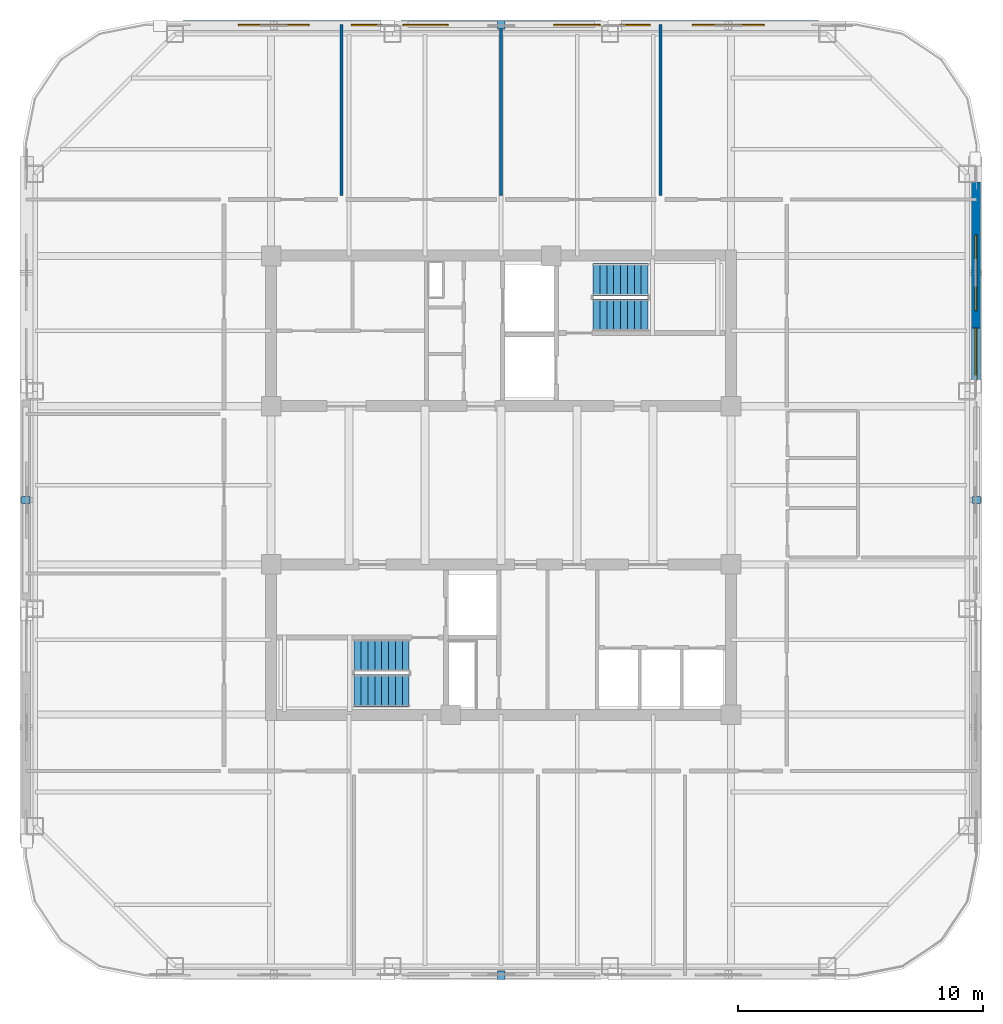
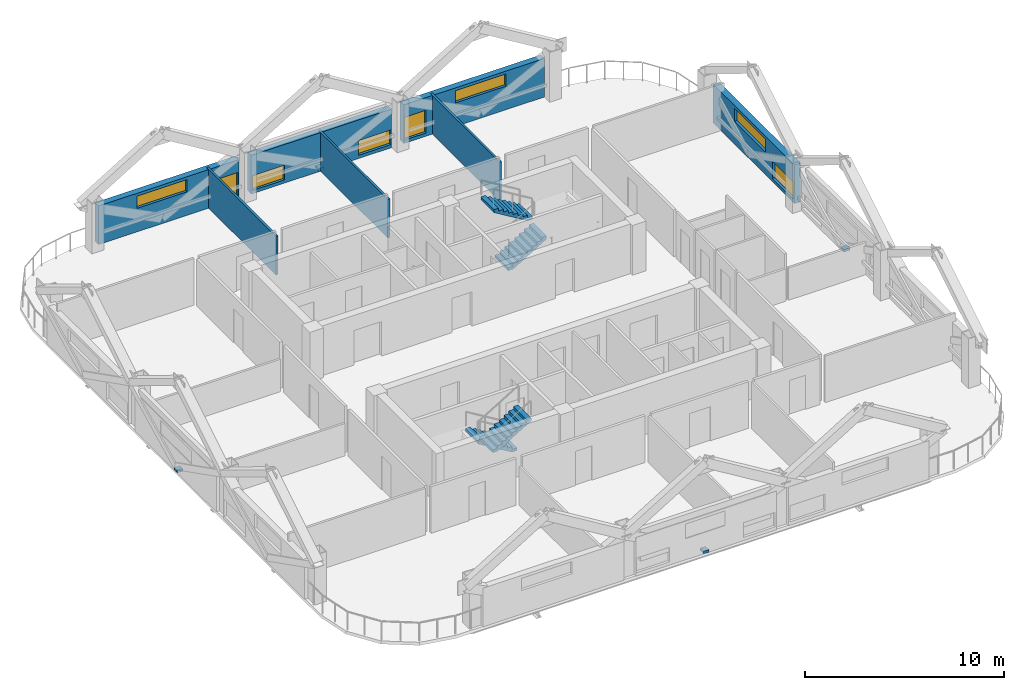
# One storey, part 6 of 9: 8 windows, 7 walls, 4 discrete accessories, 4 stair flights, 8 openings, 2 elements without a shape of their own.
"""IFC4 building model written with IfcOpenShell, lengths in metres."""

from ifc_helpers import new_model, si_unit, direction, frame, frame_2d, origin, origin_2d, place, context, subcontext, project, spatial, polyline, rectangle, outline, extrude, material, layer, layer_set, type_object, element, fill, aggregate, save


model = new_model("IFC4")

# Units and contexts
model_context = context("Model", 3, precision=1e-05, world=origin(), true_north=direction((0.0, 1.0)))
body_context = subcontext(model_context, "Body", "Model", "MODEL_VIEW")
ifc_project = project(units=[si_unit("LENGTHUNIT", "METRE"), si_unit("AREAUNIT", "SQUARE_METRE"), si_unit("VOLUMEUNIT", "CUBIC_METRE"), si_unit("PLANEANGLEUNIT", "RADIAN"), si_unit("MASSUNIT", "GRAM", prefix="KILO")], contexts=[model_context])

# Site, building, storey
site_placement = place(None, origin())
site = spatial("IfcSite", under=ifc_project, at=site_placement, CompositionType="ELEMENT")
building_placement = place(site_placement, origin())
building = spatial("IfcBuilding", under=site, at=building_placement, Name="Qhalaya Broadcast Tower", CompositionType="ELEMENT")
storey_placement = place(building_placement, frame((0.0, 0.0, 217.800048828125)))
storey = spatial("IfcBuildingStorey", under=building, at=storey_placement, Name="L64", CompositionType="ELEMENT", Elevation=217.800048828125)

# Wall, openings, windows
ifc_material_1 = material(Name="Precast Concrete C40/50", Category="concrete")
ifc_layer_1 = layer(ifc_material_1, 0.360107421875, Name="Precast Concrete C40/50")
ifc_layer_set_1 = layer_set([ifc_layer_1], Name="Precast Concrete C40/50")
wall_type_1 = type_object("IfcWallType", Name="Insulated Precast Terracotta Exterior Wall 360", PredefinedType="SOLIDWALL", material=ifc_layer_set_1)
wall_1_placement = place(storey_placement, frame((19.360107421875, 12.9619140625, 0.0), z_axis=(0.0, 0.0, 1.0), x_axis=(0.0, -1.0, 0.0)))
wall_1 = element("IfcWall", 1, at=wall_1_placement, inside=storey, type_object=wall_type_1, Name="L64 Exoskeleton Diagrid Infill Wall E1", PredefinedType="SOLIDWALL", context=body_context, shape_type="SweptSolid", body=[
    extrude(rectangle(XDim=8.1787109375, YDim=0.360107421875, at=frame_2d((4.08935546875, 0.0))), origin(), (0.0, 0.0, 1.0), 2.3740234375),
])
opening_1_placement = place(wall_1_placement, frame((2.14990234375, 0.0, 1.39990234375)))
opening_1 = element("IfcOpeningElement", 2, at=opening_1_placement, cuts=wall_1, Name="Opening W13", PredefinedType="OPENING", context=body_context, shape_type="SweptSolid", body=[
    extrude(rectangle(XDim=3.10009765625, YDim=0.800048828125, at=frame_2d((1.550048828125, 0.39990234375))), frame((0.0, 0.192138671875, 0.0), z_axis=(0.0, -1.0, 0.0), x_axis=(1.0, 0.0, 0.0)), (0.0, 0.0, 1.0), 0.384033203125),
])
opening_2_placement = place(wall_1_placement, frame((5.949951171875, 0.0, 0.199951171875)))
opening_2 = element("IfcOpeningElement", 3, at=opening_2_placement, cuts=wall_1, Name="Opening W13", PredefinedType="OPENING", context=body_context, shape_type="SweptSolid", body=[
    extrude(rectangle(XDim=2.14990234375, YDim=1.050048828125, at=frame_2d((1.074951171875, 0.52490234375))), frame((0.0, 0.192138671875, 0.0), z_axis=(0.0, -1.0, 0.0), x_axis=(1.0, 0.0, 0.0)), (0.0, 0.0, 1.0), 0.384033203125),
])
ifc_material_2 = material(Name="Solar-Control Low-E Triple Glazing", Category="glass")
window_type = type_object("IfcWindowType", Name="Upper-Block Diagrid Infill Window W13", PartitioningType="SINGLE_PANEL", PredefinedType="WINDOW", material=ifc_material_2)
window_1_placement = place(opening_1_placement, origin())
window_1 = element("IfcWindow", 4, at=window_1_placement, inside=storey, type_object=window_type, Name="L64 Diagrid Infill Window W13-E1", OverallHeight=0.800048828125, OverallWidth=3.10009765625, PartitioningType="SINGLE_PANEL", PredefinedType="WINDOW", context=body_context, shape_type="SweptSolid", body=[
    extrude(rectangle(XDim=3.10009765625, YDim=0.800048828125, at=frame_2d((1.550048828125, 0.39990234375))), frame((0.0, 0.030029296875, 0.0), z_axis=(0.0, -1.0, 0.0), x_axis=(1.0, 0.0, 0.0)), (0.0, 0.0, 1.0), 0.06005859375),
])
fill(opening_1, window_1)
window_2_placement = place(opening_2_placement, origin())
window_2 = element("IfcWindow", 5, at=window_2_placement, inside=storey, type_object=window_type, Name="L64 Diagrid Infill Window W13-E2", OverallHeight=1.050048828125, OverallWidth=2.14990234375, PartitioningType="SINGLE_PANEL", PredefinedType="WINDOW", context=body_context, shape_type="SweptSolid", body=[
    extrude(rectangle(XDim=2.14990234375, YDim=1.050048828125, at=frame_2d((1.074951171875, 0.52490234375))), frame((0.0, 0.030029296875, 0.0), z_axis=(0.0, -1.0, 0.0), x_axis=(1.0, 0.0, 0.0)), (0.0, 0.0, 1.0), 0.06005859375),
])
fill(opening_2, window_2)

wall_2_placement = place(storey_placement, frame((-12.9619140625, 19.360107421875, 0.0), z_axis=(0.0, 0.0, 1.0), x_axis=(1.0, 0.0, 0.0)))
wall_2 = element("IfcWall", 6, at=wall_2_placement, inside=storey, type_object=wall_type_1, Name="L64 Exoskeleton Diagrid Infill Wall N1", PredefinedType="SOLIDWALL", context=body_context, shape_type="SweptSolid", body=[
    extrude(rectangle(XDim=8.1787109375, YDim=0.360107421875, at=frame_2d((4.08935546875, 0.0))), origin(), (0.0, 0.0, 1.0), 2.3740234375),
])
opening_3_placement = place(wall_2_placement, frame((2.25, 0.0, 1.449951171875)))
opening_3 = element("IfcOpeningElement", 7, at=opening_3_placement, cuts=wall_2, Name="Opening W13", PredefinedType="OPENING", context=body_context, shape_type="SweptSolid", body=[
    extrude(rectangle(XDim=2.89990234375, YDim=0.75, at=frame_2d((1.449951171875, 0.375))), frame((0.0, 0.192138671875, 0.0), z_axis=(0.0, -1.0, 0.0), x_axis=(1.0, 0.0, 0.0)), (0.0, 0.0, 1.0), 0.384033203125),
])
opening_4_placement = place(wall_2_placement, frame((6.85009765625, 0.0, 0.199951171875)))
opening_4 = element("IfcOpeningElement", 8, at=opening_4_placement, cuts=wall_2, Name="Opening W13", PredefinedType="OPENING", context=body_context, shape_type="SweptSolid", body=[
    extrude(rectangle(XDim=1.25, YDim=1.39990234375, at=frame_2d((0.625, 0.699951171875))), frame((0.0, 0.192138671875, 0.0), z_axis=(0.0, -1.0, 0.0), x_axis=(1.0, 0.0, 0.0)), (0.0, 0.0, 1.0), 0.384033203125),
])
window_3_placement = place(opening_3_placement, origin())
window_3 = element("IfcWindow", 9, at=window_3_placement, inside=storey, type_object=window_type, Name="L64 Diagrid Infill Window W13-N1", OverallHeight=0.75, OverallWidth=2.89990234375, PartitioningType="SINGLE_PANEL", PredefinedType="WINDOW", context=body_context, shape_type="SweptSolid", body=[
    extrude(rectangle(XDim=2.89990234375, YDim=0.75, at=frame_2d((1.449951171875, 0.375))), frame((0.0, 0.030029296875, 0.0), z_axis=(0.0, -1.0, 0.0), x_axis=(1.0, 0.0, 0.0)), (0.0, 0.0, 1.0), 0.06005859375),
])
fill(opening_3, window_3)
window_4_placement = place(opening_4_placement, origin())
window_4 = element("IfcWindow", 10, at=window_4_placement, inside=storey, type_object=window_type, Name="L64 Diagrid Infill Window W13-N2", OverallHeight=1.39990234375, OverallWidth=1.25, PartitioningType="SINGLE_PANEL", PredefinedType="WINDOW", context=body_context, shape_type="SweptSolid", body=[
    extrude(rectangle(XDim=1.25, YDim=1.39990234375, at=frame_2d((0.625, 0.699951171875))), frame((0.0, 0.030029296875, 0.0), z_axis=(0.0, -1.0, 0.0), x_axis=(1.0, 0.0, 0.0)), (0.0, 0.0, 1.0), 0.06005859375),
])
fill(opening_4, window_4)

wall_3_placement = place(storey_placement, frame((-4.083251953125, 19.360107421875, 0.0), z_axis=(0.0, 0.0, 1.0), x_axis=(1.0, 0.0, 0.0)))
wall_3 = element("IfcWall", 11, at=wall_3_placement, inside=storey, type_object=wall_type_1, Name="L64 Exoskeleton Diagrid Infill Wall N2", PredefinedType="SOLIDWALL", context=body_context, shape_type="SweptSolid", body=[
    extrude(rectangle(XDim=8.16650390625, YDim=0.360107421875, at=frame_2d((4.083251953125, 0.0))), origin(), (0.0, 0.0, 1.0), 2.3740234375),
])
opening_5_placement = place(wall_3_placement, frame((0.071044921875, 0.0, 0.199951171875)))
opening_5 = element("IfcOpeningElement", 12, at=opening_5_placement, cuts=wall_3, Name="Opening W13", PredefinedType="OPENING", context=body_context, shape_type="SweptSolid", body=[
    extrude(rectangle(XDim=1.85009765625, YDim=0.89990234375, at=frame_2d((0.925048828125, 0.449951171875))), frame((0.0, 0.192138671875, 0.0), z_axis=(0.0, -1.0, 0.0), x_axis=(1.0, 0.0, 0.0)), (0.0, 0.0, 1.0), 0.384033203125),
])
opening_6_placement = place(wall_3_placement, frame((6.220947265625, 0.0, 0.199951171875)))
opening_6 = element("IfcOpeningElement", 13, at=opening_6_placement, cuts=wall_3, Name="Opening W13", PredefinedType="OPENING", context=body_context, shape_type="SweptSolid", body=[
    extrude(rectangle(XDim=1.89990234375, YDim=0.89990234375, at=frame_2d((0.949951171875, 0.449951171875))), frame((0.0, 0.192138671875, 0.0), z_axis=(0.0, -1.0, 0.0), x_axis=(1.0, 0.0, 0.0)), (0.0, 0.0, 1.0), 0.384033203125),
])
window_5_placement = place(opening_5_placement, origin())
window_5 = element("IfcWindow", 14, at=window_5_placement, inside=storey, type_object=window_type, Name="L64 Diagrid Infill Window W13-N3", OverallHeight=0.89990234375, OverallWidth=1.85009765625, PartitioningType="SINGLE_PANEL", PredefinedType="WINDOW", context=body_context, shape_type="SweptSolid", body=[
    extrude(rectangle(XDim=1.85009765625, YDim=0.89990234375, at=frame_2d((0.925048828125, 0.449951171875))), frame((0.0, 0.030029296875, 0.0), z_axis=(0.0, -1.0, 0.0), x_axis=(1.0, 0.0, 0.0)), (0.0, 0.0, 1.0), 0.06005859375),
])
fill(opening_5, window_5)
window_6_placement = place(opening_6_placement, origin())
window_6 = element("IfcWindow", 15, at=window_6_placement, inside=storey, type_object=window_type, Name="L64 Diagrid Infill Window W13-N4", OverallHeight=0.89990234375, OverallWidth=1.89990234375, PartitioningType="SINGLE_PANEL", PredefinedType="WINDOW", context=body_context, shape_type="SweptSolid", body=[
    extrude(rectangle(XDim=1.89990234375, YDim=0.89990234375, at=frame_2d((0.949951171875, 0.449951171875))), frame((0.0, 0.030029296875, 0.0), z_axis=(0.0, -1.0, 0.0), x_axis=(1.0, 0.0, 0.0)), (0.0, 0.0, 1.0), 0.06005859375),
])
fill(opening_6, window_6)

wall_4_placement = place(storey_placement, frame((4.783203125, 19.360107421875, 0.0), z_axis=(0.0, 0.0, 1.0), x_axis=(1.0, 0.0, 0.0)))
wall_4 = element("IfcWall", 16, at=wall_4_placement, inside=storey, type_object=wall_type_1, Name="L64 Exoskeleton Diagrid Infill Wall N3", PredefinedType="SOLIDWALL", context=body_context, shape_type="SweptSolid", body=[
    extrude(rectangle(XDim=8.1787109375, YDim=0.360107421875, at=frame_2d((4.08935546875, 0.0))), origin(), (0.0, 0.0, 1.0), 2.3740234375),
])
opening_7_placement = place(wall_4_placement, frame((0.054931640625, 0.0, 0.199951171875)))
opening_7 = element("IfcOpeningElement", 17, at=opening_7_placement, cuts=wall_4, Name="Opening W13", PredefinedType="OPENING", context=body_context, shape_type="SweptSolid", body=[
    extrude(rectangle(XDim=1.25, YDim=1.39990234375, at=frame_2d((0.625, 0.699951171875))), frame((0.0, 0.192138671875, 0.0), z_axis=(0.0, -1.0, 0.0), x_axis=(1.0, 0.0, 0.0)), (0.0, 0.0, 1.0), 0.384033203125),
])
opening_8_placement = place(wall_4_placement, frame((3.0048828125, 0.0, 1.449951171875)))
opening_8 = element("IfcOpeningElement", 18, at=opening_8_placement, cuts=wall_4, Name="Opening W13", PredefinedType="OPENING", context=body_context, shape_type="SweptSolid", body=[
    extrude(rectangle(XDim=2.949951171875, YDim=0.75, at=frame_2d((1.47509765625, 0.375))), frame((0.0, 0.192138671875, 0.0), z_axis=(0.0, -1.0, 0.0), x_axis=(1.0, 0.0, 0.0)), (0.0, 0.0, 1.0), 0.384033203125),
])
window_7_placement = place(opening_7_placement, origin())
window_7 = element("IfcWindow", 19, at=window_7_placement, inside=storey, type_object=window_type, Name="L64 Diagrid Infill Window W13-N5", OverallHeight=1.39990234375, OverallWidth=1.25, PartitioningType="SINGLE_PANEL", PredefinedType="WINDOW", context=body_context, shape_type="SweptSolid", body=[
    extrude(rectangle(XDim=1.25, YDim=1.39990234375, at=frame_2d((0.625, 0.699951171875))), frame((0.0, 0.030029296875, 0.0), z_axis=(0.0, -1.0, 0.0), x_axis=(1.0, 0.0, 0.0)), (0.0, 0.0, 1.0), 0.06005859375),
])
fill(opening_7, window_7)
window_8_placement = place(opening_8_placement, origin())
window_8 = element("IfcWindow", 20, at=window_8_placement, inside=storey, type_object=window_type, Name="L64 Diagrid Infill Window W13-N6", OverallHeight=0.75, OverallWidth=2.949951171875, PartitioningType="SINGLE_PANEL", PredefinedType="WINDOW", context=body_context, shape_type="SweptSolid", body=[
    extrude(rectangle(XDim=2.949951171875, YDim=0.75, at=frame_2d((1.47509765625, 0.375))), frame((0.0, 0.030029296875, 0.0), z_axis=(0.0, -1.0, 0.0), x_axis=(1.0, 0.0, 0.0)), (0.0, 0.0, 1.0), 0.06005859375),
])
fill(opening_8, window_8)

# Walls
ifc_material_3 = material(Name="Gypsum Acoustic Partition")
ifc_layer_2 = layer(ifc_material_3, 0.1201171875, Name="Gypsum Acoustic Partition")
ifc_layer_set_2 = layer_set([ifc_layer_2], Name="Gypsum Acoustic Partition")
wall_type_2 = type_object("IfcWallType", Name="Office, Booth & Sanitary Partition 120", PredefinedType="PARTITIONING", material=ifc_layer_set_2)
for number, where, z_axis, x_axis, name in (
    (21, (-6.5, 12.409912109375, 0.0), (0.0, 0.0, 1.0), (0.0, 1.0, 0.0), "L64 Partition Wall W-DIVN1"),
    (22, (0.0, 12.409912109375, 0.0), (0.0, 0.0, 1.0), (0.0, 1.0, 0.0), "L64 Partition Wall W-DIVN2"),
    (23, (6.5, 12.409912109375, 0.0), (0.0, 0.0, 1.0), (0.0, 1.0, 0.0), "L64 Partition Wall W-DIVN3"),
):
    element("IfcWall", number, at=place(storey_placement, frame(where, z_axis=z_axis, x_axis=x_axis)), inside=storey, type_object=wall_type_2, Name=name, PredefinedType="PARTITIONING", context=body_context, shape_type="SweptSolid", body=[
        extrude(rectangle(XDim=6.969970703125, YDim=0.1201171875, at=frame_2d((3.48486328125, 0.0))), origin(), (0.0, 0.0, 1.0), 2.380859375),
    ])

# Stair, stair flights
ifc_material_4 = material(Name="Concrete C40/50", Category="concrete")
stair_type = type_object("IfcStairType", Name="Protected Dogleg Core Stair 3150", PredefinedType="TWO_STRAIGHT_RUN_STAIR", material=ifc_material_4)
stair_1_placement = place(storey_placement, origin())
stair_1 = element("IfcStair", 24, at=stair_1_placement, inside=storey, type_object=stair_type, Name="L64 North Core Exit Stair ST-1", PredefinedType="TWO_STRAIGHT_RUN_STAIR")
stair_flight_type = type_object("IfcStairFlightType", Name="Precast Concrete Stair Flight 3150", PredefinedType="STRAIGHT", material=ifc_material_1)
stair_flight_1_placement = place(storey_placement, frame((3.75, 7.5400390625, 0.0), z_axis=(0.0, 0.0, 1.0), x_axis=(1.0, 0.0, 0.0)))
stair_flight_1 = element("IfcStairFlight", 25, at=stair_flight_1_placement, type_object=stair_flight_type, Name="ST-1 flight 1", NumberOfRisers=9, NumberOfTreads=8, PredefinedType="STRAIGHT", RiserHeight=0.169444444, TreadLength=0.28, context=body_context, shape_type="SweptSolid", body=[
    extrude(outline(polyline([(0.0, 0.0), (0.0, 0.16943359375), (0.280029296875, 0.16943359375), (0.280029296875, 0.3388671875), (0.56005859375, 0.3388671875), (0.56005859375, 0.50830078125), (0.840087890625, 0.50830078125), (0.840087890625, 0.677734375), (1.1201171875, 0.677734375), (1.1201171875, 0.84716796875), (1.39990234375, 0.84716796875), (1.39990234375, 1.0166015625), (1.679931640625, 1.0166015625), (1.679931640625, 1.18603515625), (1.9599609375, 1.18603515625), (1.9599609375, 1.35546875), (2.239990234375, 1.35546875), (2.239990234375, 1.52490234375), (2.239990234375, 1.180419921875), (0.28955078125, 0.0), (0.0, 0.0)])), frame((0.0, 0.66015625, 0.0), z_axis=(0.0, -1.0, 0.0), x_axis=(1.0, 0.0, 0.0)), (0.0, 0.0, 1.0), 1.320068359375),
])
stair_flight_2_placement = place(storey_placement, frame((5.989990234375, 8.97998046875, 1.52490234375), z_axis=(0.0, 0.0, 1.0), x_axis=(-1.0, 0.0, 0.0)))
stair_flight_2 = element("IfcStairFlight", 26, at=stair_flight_2_placement, type_object=stair_flight_type, Name="ST-1 flight 2", NumberOfRisers=9, NumberOfTreads=8, PredefinedType="STRAIGHT", RiserHeight=0.169444444, TreadLength=0.28, context=body_context, shape_type="SweptSolid", body=[
    extrude(outline(polyline([(0.0, 0.0), (0.0, 0.16943359375), (0.280029296875, 0.16943359375), (0.280029296875, 0.3388671875), (0.56005859375, 0.3388671875), (0.56005859375, 0.50830078125), (0.840087890625, 0.50830078125), (0.840087890625, 0.677734375), (1.1201171875, 0.677734375), (1.1201171875, 0.84716796875), (1.39990234375, 0.84716796875), (1.39990234375, 1.0166015625), (1.679931640625, 1.0166015625), (1.679931640625, 1.18603515625), (1.9599609375, 1.18603515625), (1.9599609375, 1.35546875), (2.239990234375, 1.35546875), (2.239990234375, 1.52490234375), (2.239990234375, 1.180419921875), (0.28955078125, 0.0), (0.0, 0.0)])), frame((0.0, 0.66015625, 0.0), z_axis=(0.0, -1.0, 0.0), x_axis=(1.0, 0.0, 0.0)), (0.0, 0.0, 1.0), 1.320068359375),
])
aggregate(stair_1, [stair_flight_1, stair_flight_2])

stair_2_placement = place(storey_placement, origin())
stair_2 = element("IfcStair", 27, at=stair_2_placement, inside=storey, type_object=stair_type, Name="L64 South Core Exit Stair ST-2", PredefinedType="TWO_STRAIGHT_RUN_STAIR")
stair_flight_3_placement = place(storey_placement, frame((-3.75, -6.340087890625, 0.0), z_axis=(0.0, 0.0, 1.0), x_axis=(-1.0, 0.0, 0.0)))
stair_flight_3 = element("IfcStairFlight", 28, at=stair_flight_3_placement, type_object=stair_flight_type, Name="ST-2 flight 1", NumberOfRisers=9, NumberOfTreads=8, PredefinedType="STRAIGHT", RiserHeight=0.169444444, TreadLength=0.28, context=body_context, shape_type="SweptSolid", body=[
    extrude(outline(polyline([(0.0, 0.0), (0.0, 0.16943359375), (0.280029296875, 0.16943359375), (0.280029296875, 0.3388671875), (0.56005859375, 0.3388671875), (0.56005859375, 0.50830078125), (0.840087890625, 0.50830078125), (0.840087890625, 0.677734375), (1.1201171875, 0.677734375), (1.1201171875, 0.84716796875), (1.39990234375, 0.84716796875), (1.39990234375, 1.0166015625), (1.679931640625, 1.0166015625), (1.679931640625, 1.18603515625), (1.9599609375, 1.18603515625), (1.9599609375, 1.35546875), (2.239990234375, 1.35546875), (2.239990234375, 1.52490234375), (2.239990234375, 1.180419921875), (0.28955078125, 0.0), (0.0, 0.0)])), frame((0.0, 0.66015625, 0.0), z_axis=(0.0, -1.0, 0.0), x_axis=(1.0, 0.0, 0.0)), (0.0, 0.0, 1.0), 1.320068359375),
])
stair_flight_4_placement = place(storey_placement, frame((-5.989990234375, -7.780029296875, 1.52490234375), z_axis=(0.0, 0.0, 1.0), x_axis=(1.0, 0.0, 0.0)))
stair_flight_4 = element("IfcStairFlight", 29, at=stair_flight_4_placement, type_object=stair_flight_type, Name="ST-2 flight 2", NumberOfRisers=9, NumberOfTreads=8, PredefinedType="STRAIGHT", RiserHeight=0.169444444, TreadLength=0.28, context=body_context, shape_type="SweptSolid", body=[
    extrude(outline(polyline([(0.0, 0.0), (0.0, 0.16943359375), (0.280029296875, 0.16943359375), (0.280029296875, 0.3388671875), (0.56005859375, 0.3388671875), (0.56005859375, 0.50830078125), (0.840087890625, 0.50830078125), (0.840087890625, 0.677734375), (1.1201171875, 0.677734375), (1.1201171875, 0.84716796875), (1.39990234375, 0.84716796875), (1.39990234375, 1.0166015625), (1.679931640625, 1.0166015625), (1.679931640625, 1.18603515625), (1.9599609375, 1.18603515625), (1.9599609375, 1.35546875), (2.239990234375, 1.35546875), (2.239990234375, 1.52490234375), (2.239990234375, 1.180419921875), (0.28955078125, 0.0), (0.0, 0.0)])), frame((0.0, 0.66015625, 0.0), z_axis=(0.0, -1.0, 0.0), x_axis=(1.0, 0.0, 0.0)), (0.0, 0.0, 1.0), 1.320068359375),
])
aggregate(stair_2, [stair_flight_3, stair_flight_4])

# Discrete accessories
ifc_material_5 = material(Name="Structural Steel ASTM A572 Grade 50", Category="steel")
discrete_accessory_type = type_object("IfcDiscreteAccessoryType", Name="Facade Baguette Support Bracket BRK-01", PredefinedType="BRACKET", material=ifc_material_5)
for number, where, z_axis, x_axis, name in (
    (30, (0.0, -19.3798828125, 0.0), (0.0, 0.0, 1.0), (1.0, 0.0, 0.0), "L64 Baguette Support Bracket S"),
    (31, (19.3798828125, 0.0, 0.0), (0.0, 0.0, 1.0), (0.0, 1.0, 0.0), "L64 Baguette Support Bracket E"),
    (32, (0.0, 19.3798828125, 0.0), (0.0, 0.0, 1.0), (-1.0, 0.0, 0.0), "L64 Baguette Support Bracket N"),
    (33, (-19.3798828125, 0.0, 0.0), (0.0, 0.0, 1.0), (0.0, -1.0, 0.0), "L64 Baguette Support Bracket W"),
):
    element("IfcDiscreteAccessory", number, at=place(storey_placement, frame(where, z_axis=z_axis, x_axis=x_axis)), inside=storey, type_object=discrete_accessory_type, Name=name, PredefinedType="BRACKET", context=body_context, shape_type="SweptSolid", body=[
        extrude(rectangle(XDim=0.300048828125, YDim=0.340087890625, at=origin_2d()), origin(), (0.0, 0.0, 1.0), 0.159912109375),
    ])

save(model, "model.ifc")
